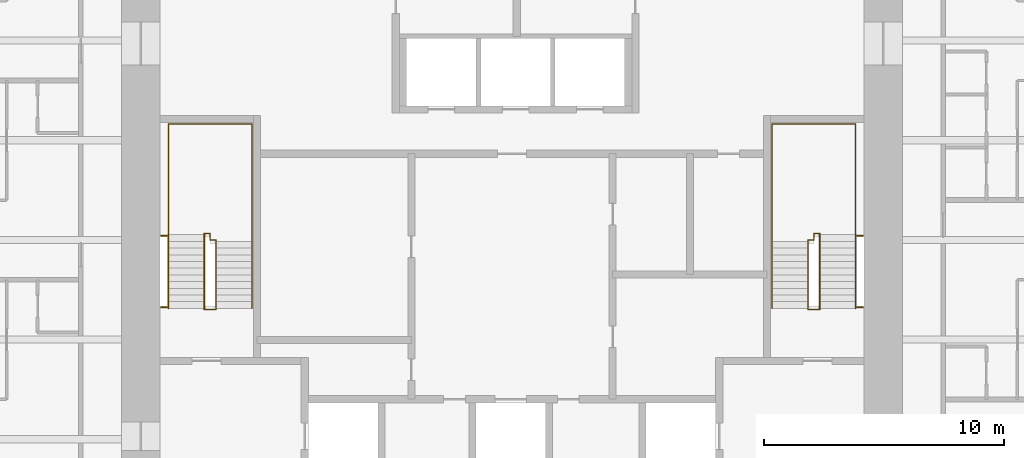
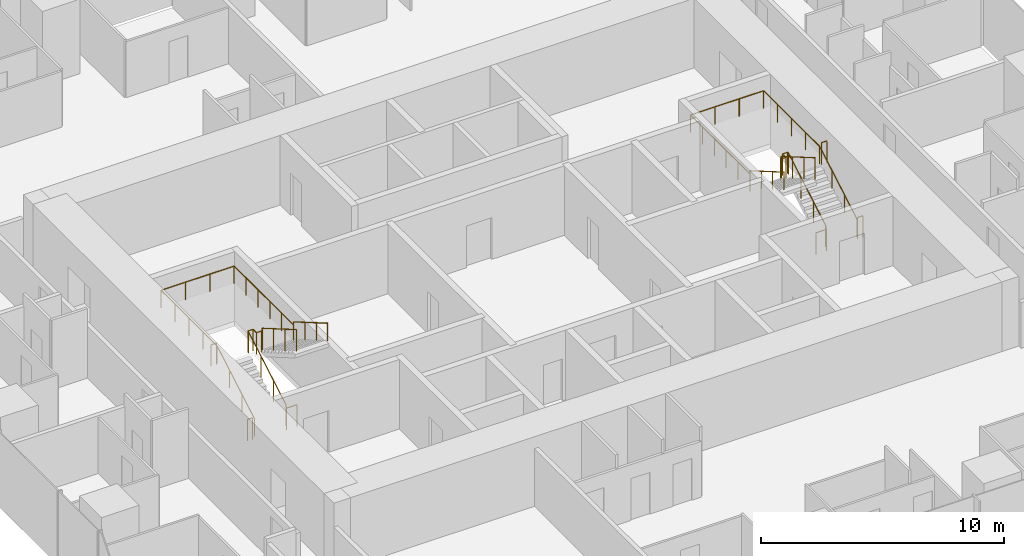
# One storey, part 13 of 13: 8 railings.
"""IFC4 building model written with IfcOpenShell, lengths in metres."""

from ifc_helpers import new_model, si_unit, direction, frame, origin, origin_2d, place, context, subcontext, project, spatial, circle, extrude, material, type_object, element, save


model = new_model("IFC4")

# Units and contexts
model_context = context("Model", 3, precision=1e-05, world=origin(), true_north=direction((0.0, 1.0)))
body_context = subcontext(model_context, "Body", "Model", "MODEL_VIEW")
ifc_project = project(units=[si_unit("LENGTHUNIT", "METRE"), si_unit("AREAUNIT", "SQUARE_METRE"), si_unit("VOLUMEUNIT", "CUBIC_METRE"), si_unit("PLANEANGLEUNIT", "RADIAN"), si_unit("MASSUNIT", "GRAM", prefix="KILO")], contexts=[model_context])

# Site, building, storey
site_placement = place(None, origin())
site = spatial("IfcSite", under=ifc_project, at=site_placement, CompositionType="ELEMENT")
building_placement = place(site_placement, origin())
building = spatial("IfcBuilding", under=site, at=building_placement, Name="Khuree Lantern Residences", CompositionType="ELEMENT")
storey_placement = place(building_placement, frame((0.0, 0.0, 259.5)))
storey = spatial("IfcBuildingStorey", under=building, at=storey_placement, Name="L65", CompositionType="ELEMENT", Elevation=259.5)

# Railings
ifc_material = material(Name="Steel S355", Category="steel")
railing_type_1 = type_object("IfcRailingType", Name="STAIR GUARD G1 1100", PredefinedType="GUARDRAIL", material=ifc_material)
railing_1_placement = place(storey_placement, frame((-12.35009765625, -2.909912109375, 0.0)))
element("IfcRailing", 1, at=railing_1_placement, inside=storey, type_object=railing_type_1, Name="Stair ST1 guard", PredefinedType="GUARDRAIL", context=body_context, shape_type="SweptSolid", body=[
    extrude(circle(Radius=0.02392578125, at=origin_2d()), frame((0.0, 0.0, 1.076171875), z_axis=(-1.0, 0.0, 0.0), x_axis=(0.0, -1.0, 0.0)), (0.0, 0.0, 1.0), 0.5),
    extrude(circle(Radius=0.02392578125, at=origin_2d()), frame((-0.5, 0.0, 1.076171875), z_axis=(0.0, 0.292073035251, 0.95639601739), x_axis=(-1.0, 0.0, 0.0)), (0.0, 0.0, 1.0), 0.17041015625),
    extrude(circle(Radius=0.02392578125, at=origin_2d()), frame((-0.5, 0.0498046875, 1.2392578125), z_axis=(0.0, 0.864176135923, 0.503189433615), x_axis=(-1.0, 0.0, 0.0)), (0.0, 0.0, 1.0), 3.564208984375),
    extrude(circle(Radius=0.02392578125, at=origin_2d()), frame((-0.5, 3.1298828125, 3.03271484375), z_axis=(0.0, 1.0, 0.0), x_axis=(-1.0, 0.0, 0.0)), (0.0, 0.0, 1.0), 0.050048828125),
    extrude(circle(Radius=0.02392578125, at=origin_2d()), frame((-0.5, 3.179931640625, 3.03271484375), z_axis=(1.0, 0.0, 0.0), x_axis=(0.0, 1.0, 0.0)), (0.0, 0.0, 1.0), 0.25),
    extrude(circle(Radius=0.02392578125, at=origin_2d()), frame((-0.25, 3.179931640625, 3.03271484375), z_axis=(0.0, -1.0, 0.0), x_axis=(1.0, 0.0, 0.0)), (0.0, 0.0, 1.0), 0.280029296875),
    extrude(circle(Radius=0.02392578125, at=origin_2d()), frame((-0.25, 2.89990234375, 3.03271484375), z_axis=(1.0, 0.0, 0.0), x_axis=(0.0, 1.0, 0.0)), (0.0, 0.0, 1.0), 0.25),
    extrude(circle(Radius=0.02392578125, at=origin_2d()), frame((0.0, 2.89990234375, 3.03271484375), z_axis=(0.0, -0.293381807449, 0.955995353053), x_axis=(1.0, 0.0, 0.0)), (0.0, 0.0, 1.0), 0.170654296875),
    extrude(circle(Radius=0.02392578125, at=origin_2d()), frame((0.0, 2.849853515625, 3.19580078125), z_axis=(0.0, -0.864180358799, 0.503182181189), x_axis=(1.0, 0.0, 0.0)), (0.0, 0.0, 1.0), 3.240234375),
    extrude(circle(Radius=0.02099609375, at=origin_2d()), origin(), (0.0, 0.0, 1.0), 1.052001953125),
    extrude(circle(Radius=0.02099609375, at=origin_2d()), frame((-0.5, 0.0, 0.0)), (0.0, 0.0, 1.0), 1.052001953125),
    extrude(circle(Radius=0.02099609375, at=origin_2d()), frame((-0.5, 0.0498046875, 0.1630859375)), (0.0, 0.0, 1.0), 1.052001953125),
    extrude(circle(Radius=0.02099609375, at=origin_2d()), frame((-0.5, 1.076416015625, 0.760986328125)), (0.0, 0.0, 1.0), 1.052001953125),
    extrude(circle(Radius=0.02099609375, at=origin_2d()), frame((-0.5, 2.103271484375, 1.358642578125)), (0.0, 0.0, 1.0), 1.052001953125),
    extrude(circle(Radius=0.02099609375, at=origin_2d()), frame((-0.5, 3.1298828125, 1.95654296875)), (0.0, 0.0, 1.0), 1.052001953125),
    extrude(circle(Radius=0.02099609375, at=origin_2d()), frame((-0.5, 3.179931640625, 1.95654296875)), (0.0, 0.0, 1.0), 1.052001953125),
    extrude(circle(Radius=0.02099609375, at=origin_2d()), frame((-0.25, 3.179931640625, 1.95654296875)), (0.0, 0.0, 1.0), 1.052001953125),
    extrude(circle(Radius=0.02099609375, at=origin_2d()), frame((-0.25, 2.89990234375, 1.95654296875)), (0.0, 0.0, 1.0), 1.052001953125),
    extrude(circle(Radius=0.02099609375, at=origin_2d()), frame((0.0, 2.89990234375, 1.95654296875)), (0.0, 0.0, 1.0), 1.052001953125),
    extrude(circle(Radius=0.02099609375, at=origin_2d()), frame((0.0, 2.849853515625, 2.11962890625)), (0.0, 0.0, 1.0), 1.052001953125),
    extrude(circle(Radius=0.02099609375, at=origin_2d()), frame((0.0, 1.91650390625, 2.6630859375)), (0.0, 0.0, 1.0), 1.052001953125),
    extrude(circle(Radius=0.02099609375, at=origin_2d()), frame((0.0, 0.983154296875, 3.20654296875)), (0.0, 0.0, 1.0), 1.052001953125),
    extrude(circle(Radius=0.02099609375, at=origin_2d()), frame((0.0, 0.0498046875, 3.75)), (0.0, 0.0, 1.0), 1.052001953125),
])
for number, where, name in (
    (2, (-14.64990234375, -2.81005859375, 0.0), "Stair ST1 landing slot guard"),
    (3, (-14.64990234375, 0.169921875, 1.95654296875), "Stair ST1 landing slot guard"),
):
    element("IfcRailing", number, at=place(storey_placement, frame(where)), inside=storey, type_object=railing_type_1, Name=name, PredefinedType="GUARDRAIL", context=body_context, shape_type="SweptSolid", body=[
        extrude(circle(Radius=0.02392578125, at=origin_2d()), frame((0.0, 0.0, 1.076171875), z_axis=(1.0, 0.0, 0.0), x_axis=(0.0, 1.0, 0.0)), (0.0, 0.0, 1.0), 0.25),
        extrude(circle(Radius=0.02099609375, at=origin_2d()), origin(), (0.0, 0.0, 1.0), 1.052001953125),
        extrude(circle(Radius=0.02099609375, at=origin_2d()), frame((0.25, 0.0, 0.0)), (0.0, 0.0, 1.0), 1.052001953125),
    ])
railing_2_placement = place(storey_placement, frame((12.35009765625, -2.909912109375, 0.0)))
element("IfcRailing", 4, at=railing_2_placement, inside=storey, type_object=railing_type_1, Name="Stair ST2 guard", PredefinedType="GUARDRAIL", context=body_context, shape_type="SweptSolid", body=[
    extrude(circle(Radius=0.02392578125, at=origin_2d()), frame((0.0, 0.0, 1.076171875), z_axis=(1.0, 0.0, 0.0), x_axis=(0.0, 1.0, 0.0)), (0.0, 0.0, 1.0), 0.5),
    extrude(circle(Radius=0.02392578125, at=origin_2d()), frame((0.5, 0.0, 1.076171875), z_axis=(0.0, 0.292073035251, 0.95639601739), x_axis=(-1.0, 0.0, 0.0)), (0.0, 0.0, 1.0), 0.17041015625),
    extrude(circle(Radius=0.02392578125, at=origin_2d()), frame((0.5, 0.0498046875, 1.2392578125), z_axis=(0.0, 0.864176135923, 0.503189433615), x_axis=(-1.0, 0.0, 0.0)), (0.0, 0.0, 1.0), 3.564208984375),
    extrude(circle(Radius=0.02392578125, at=origin_2d()), frame((0.5, 3.1298828125, 3.03271484375), z_axis=(0.0, 1.0, 0.0), x_axis=(-1.0, 0.0, 0.0)), (0.0, 0.0, 1.0), 0.050048828125),
    extrude(circle(Radius=0.02392578125, at=origin_2d()), frame((0.5, 3.179931640625, 3.03271484375), z_axis=(-1.0, 0.0, 0.0), x_axis=(0.0, -1.0, 0.0)), (0.0, 0.0, 1.0), 0.25),
    extrude(circle(Radius=0.02392578125, at=origin_2d()), frame((0.25, 3.179931640625, 3.03271484375), z_axis=(0.0, -1.0, 0.0), x_axis=(1.0, 0.0, 0.0)), (0.0, 0.0, 1.0), 0.280029296875),
    extrude(circle(Radius=0.02392578125, at=origin_2d()), frame((0.25, 2.89990234375, 3.03271484375), z_axis=(-1.0, 0.0, 0.0), x_axis=(0.0, -1.0, 0.0)), (0.0, 0.0, 1.0), 0.25),
    extrude(circle(Radius=0.02392578125, at=origin_2d()), frame((0.0, 2.89990234375, 3.03271484375), z_axis=(0.0, -0.293381807449, 0.955995353053), x_axis=(1.0, 0.0, 0.0)), (0.0, 0.0, 1.0), 0.170654296875),
    extrude(circle(Radius=0.02392578125, at=origin_2d()), frame((0.0, 2.849853515625, 3.19580078125), z_axis=(0.0, -0.864180358799, 0.503182181189), x_axis=(1.0, 0.0, 0.0)), (0.0, 0.0, 1.0), 3.240234375),
    extrude(circle(Radius=0.02099609375, at=origin_2d()), origin(), (0.0, 0.0, 1.0), 1.052001953125),
    extrude(circle(Radius=0.02099609375, at=origin_2d()), frame((0.5, 0.0, 0.0)), (0.0, 0.0, 1.0), 1.052001953125),
    extrude(circle(Radius=0.02099609375, at=origin_2d()), frame((0.5, 0.0498046875, 0.1630859375)), (0.0, 0.0, 1.0), 1.052001953125),
    extrude(circle(Radius=0.02099609375, at=origin_2d()), frame((0.5, 1.076416015625, 0.760986328125)), (0.0, 0.0, 1.0), 1.052001953125),
    extrude(circle(Radius=0.02099609375, at=origin_2d()), frame((0.5, 2.103271484375, 1.358642578125)), (0.0, 0.0, 1.0), 1.052001953125),
    extrude(circle(Radius=0.02099609375, at=origin_2d()), frame((0.5, 3.1298828125, 1.95654296875)), (0.0, 0.0, 1.0), 1.052001953125),
    extrude(circle(Radius=0.02099609375, at=origin_2d()), frame((0.5, 3.179931640625, 1.95654296875)), (0.0, 0.0, 1.0), 1.052001953125),
    extrude(circle(Radius=0.02099609375, at=origin_2d()), frame((0.25, 3.179931640625, 1.95654296875)), (0.0, 0.0, 1.0), 1.052001953125),
    extrude(circle(Radius=0.02099609375, at=origin_2d()), frame((0.25, 2.89990234375, 1.95654296875)), (0.0, 0.0, 1.0), 1.052001953125),
    extrude(circle(Radius=0.02099609375, at=origin_2d()), frame((0.0, 2.89990234375, 1.95654296875)), (0.0, 0.0, 1.0), 1.052001953125),
    extrude(circle(Radius=0.02099609375, at=origin_2d()), frame((0.0, 2.849853515625, 2.11962890625)), (0.0, 0.0, 1.0), 1.052001953125),
    extrude(circle(Radius=0.02099609375, at=origin_2d()), frame((0.0, 1.91650390625, 2.6630859375)), (0.0, 0.0, 1.0), 1.052001953125),
    extrude(circle(Radius=0.02099609375, at=origin_2d()), frame((0.0, 0.983154296875, 3.20654296875)), (0.0, 0.0, 1.0), 1.052001953125),
    extrude(circle(Radius=0.02099609375, at=origin_2d()), frame((0.0, 0.0498046875, 3.75)), (0.0, 0.0, 1.0), 1.052001953125),
])
for number, where, name in (
    (5, (14.64990234375, -2.81005859375, 0.0), "Stair ST2 landing slot guard"),
    (6, (14.64990234375, 0.169921875, 1.95654296875), "Stair ST2 landing slot guard"),
):
    element("IfcRailing", number, at=place(storey_placement, frame(where)), inside=storey, type_object=railing_type_1, Name=name, PredefinedType="GUARDRAIL", context=body_context, shape_type="SweptSolid", body=[
        extrude(circle(Radius=0.02392578125, at=origin_2d()), frame((0.0, 0.0, 1.076171875), z_axis=(-1.0, 0.0, 0.0), x_axis=(0.0, -1.0, 0.0)), (0.0, 0.0, 1.0), 0.25),
        extrude(circle(Radius=0.02099609375, at=origin_2d()), origin(), (0.0, 0.0, 1.0), 1.052001953125),
        extrude(circle(Radius=0.02099609375, at=origin_2d()), frame((-0.25, 0.0, 0.0)), (0.0, 0.0, 1.0), 1.052001953125),
    ])
railing_type_2 = type_object("IfcRailingType", Name="STAIR HANDRAIL H1 900", PredefinedType="HANDRAIL", material=ifc_material)
railing_3_placement = place(storey_placement, frame((-14.340087890625, -2.860107421875, 0.1630859375)))
element("IfcRailing", 7, at=railing_3_placement, inside=storey, type_object=railing_type_2, Name="Stair ST1 handrail", PredefinedType="HANDRAIL", context=body_context, shape_type="SweptSolid", body=[
    extrude(circle(Radius=0.02392578125, at=origin_2d()), frame((0.0, 0.0, 0.8759765625), z_axis=(0.0, 0.864176135923, 0.503189433615), x_axis=(-1.0, 0.0, 0.0)), (0.0, 0.0, 1.0), 3.564208984375),
    extrude(circle(Radius=0.02392578125, at=origin_2d()), frame((0.0, 3.080078125, 2.66943359375), z_axis=(0.0, 1.0, 0.0), x_axis=(-1.0, 0.0, 0.0)), (0.0, 0.0, 1.0), 4.6201171875),
    extrude(circle(Radius=0.02392578125, at=origin_2d()), frame((0.0, 7.7001953125, 2.66943359375), z_axis=(1.0, 0.0, 0.0), x_axis=(0.0, 1.0, 0.0)), (0.0, 0.0, 1.0), 3.47998046875),
    extrude(circle(Radius=0.02392578125, at=origin_2d()), frame((3.47998046875, 7.7001953125, 2.66943359375), z_axis=(0.0, -1.0, 0.0), x_axis=(1.0, 0.0, 0.0)), (0.0, 0.0, 1.0), 4.900146484375),
    extrude(circle(Radius=0.02392578125, at=origin_2d()), frame((3.47998046875, 2.800048828125, 2.66943359375), z_axis=(0.0, 0.0, 1.0), x_axis=(1.0, 0.0, 0.0)), (0.0, 0.0, 1.0), 0.1630859375),
    extrude(circle(Radius=0.02392578125, at=origin_2d()), frame((3.47998046875, 2.800048828125, 2.83251953125), z_axis=(0.0, -0.864180358799, 0.503182181189), x_axis=(1.0, 0.0, 0.0)), (0.0, 0.0, 1.0), 3.240234375),
    extrude(circle(Radius=0.02099609375, at=origin_2d()), origin(), (0.0, 0.0, 1.0), 0.851806640625),
    extrude(circle(Radius=0.02099609375, at=origin_2d()), frame((0.0, 1.026611328125, 0.597900390625)), (0.0, 0.0, 1.0), 0.851806640625),
    extrude(circle(Radius=0.02099609375, at=origin_2d()), frame((0.0, 2.053466796875, 1.195556640625)), (0.0, 0.0, 1.0), 0.851806640625),
    extrude(circle(Radius=0.02099609375, at=origin_2d()), frame((0.0, 3.080078125, 1.79345703125)), (0.0, 0.0, 1.0), 0.851806640625),
    extrude(circle(Radius=0.02099609375, at=origin_2d()), frame((0.0, 4.235107421875, 1.79345703125)), (0.0, 0.0, 1.0), 0.851806640625),
    extrude(circle(Radius=0.02099609375, at=origin_2d()), frame((0.0, 5.39013671875, 1.79345703125)), (0.0, 0.0, 1.0), 0.851806640625),
    extrude(circle(Radius=0.02099609375, at=origin_2d()), frame((0.0, 6.545166015625, 1.79345703125)), (0.0, 0.0, 1.0), 0.851806640625),
    extrude(circle(Radius=0.02099609375, at=origin_2d()), frame((0.0, 7.7001953125, 1.79345703125)), (0.0, 0.0, 1.0), 0.851806640625),
    extrude(circle(Radius=0.02099609375, at=origin_2d()), frame((1.159912109375, 7.7001953125, 1.79345703125)), (0.0, 0.0, 1.0), 0.851806640625),
    extrude(circle(Radius=0.02099609375, at=origin_2d()), frame((2.320068359375, 7.7001953125, 1.79345703125)), (0.0, 0.0, 1.0), 0.851806640625),
    extrude(circle(Radius=0.02099609375, at=origin_2d()), frame((3.47998046875, 7.7001953125, 1.79345703125)), (0.0, 0.0, 1.0), 0.851806640625),
    extrude(circle(Radius=0.02099609375, at=origin_2d()), frame((3.47998046875, 6.72021484375, 1.79345703125)), (0.0, 0.0, 1.0), 0.851806640625),
    extrude(circle(Radius=0.02099609375, at=origin_2d()), frame((3.47998046875, 5.740234375, 1.79345703125)), (0.0, 0.0, 1.0), 0.851806640625),
    extrude(circle(Radius=0.02099609375, at=origin_2d()), frame((3.47998046875, 4.760009765625, 1.79345703125)), (0.0, 0.0, 1.0), 0.851806640625),
    extrude(circle(Radius=0.02099609375, at=origin_2d()), frame((3.47998046875, 3.780029296875, 1.79345703125)), (0.0, 0.0, 1.0), 0.851806640625),
    extrude(circle(Radius=0.02099609375, at=origin_2d()), frame((3.47998046875, 2.800048828125, 1.79345703125)), (0.0, 0.0, 1.0), 0.851806640625),
    extrude(circle(Radius=0.02099609375, at=origin_2d()), frame((3.47998046875, 2.800048828125, 1.95654296875)), (0.0, 0.0, 1.0), 0.851806640625),
    extrude(circle(Radius=0.02099609375, at=origin_2d()), frame((3.47998046875, 1.86669921875, 2.5)), (0.0, 0.0, 1.0), 0.851806640625),
    extrude(circle(Radius=0.02099609375, at=origin_2d()), frame((3.47998046875, 0.933349609375, 3.04345703125)), (0.0, 0.0, 1.0), 0.851806640625),
    extrude(circle(Radius=0.02099609375, at=origin_2d()), frame((3.47998046875, 0.0, 3.5869140625)), (0.0, 0.0, 1.0), 0.851806640625),
])
railing_4_placement = place(storey_placement, frame((14.340087890625, -2.860107421875, 0.1630859375)))
element("IfcRailing", 8, at=railing_4_placement, inside=storey, type_object=railing_type_2, Name="Stair ST2 handrail", PredefinedType="HANDRAIL", context=body_context, shape_type="SweptSolid", body=[
    extrude(circle(Radius=0.02392578125, at=origin_2d()), frame((0.0, 0.0, 0.8759765625), z_axis=(0.0, 0.864176135923, 0.503189433615), x_axis=(-1.0, 0.0, 0.0)), (0.0, 0.0, 1.0), 3.564208984375),
    extrude(circle(Radius=0.02392578125, at=origin_2d()), frame((0.0, 3.080078125, 2.66943359375), z_axis=(0.0, 1.0, 0.0), x_axis=(-1.0, 0.0, 0.0)), (0.0, 0.0, 1.0), 4.6201171875),
    extrude(circle(Radius=0.02392578125, at=origin_2d()), frame((0.0, 7.7001953125, 2.66943359375), z_axis=(-1.0, 0.0, 0.0), x_axis=(0.0, -1.0, 0.0)), (0.0, 0.0, 1.0), 3.47998046875),
    extrude(circle(Radius=0.02392578125, at=origin_2d()), frame((-3.47998046875, 7.7001953125, 2.66943359375), z_axis=(0.0, -1.0, 0.0), x_axis=(1.0, 0.0, 0.0)), (0.0, 0.0, 1.0), 4.900146484375),
    extrude(circle(Radius=0.02392578125, at=origin_2d()), frame((-3.47998046875, 2.800048828125, 2.66943359375), z_axis=(0.0, 0.0, 1.0), x_axis=(1.0, 0.0, 0.0)), (0.0, 0.0, 1.0), 0.1630859375),
    extrude(circle(Radius=0.02392578125, at=origin_2d()), frame((-3.47998046875, 2.800048828125, 2.83251953125), z_axis=(0.0, -0.864180358799, 0.503182181189), x_axis=(1.0, 0.0, 0.0)), (0.0, 0.0, 1.0), 3.240234375),
    extrude(circle(Radius=0.02099609375, at=origin_2d()), origin(), (0.0, 0.0, 1.0), 0.851806640625),
    extrude(circle(Radius=0.02099609375, at=origin_2d()), frame((0.0, 1.026611328125, 0.597900390625)), (0.0, 0.0, 1.0), 0.851806640625),
    extrude(circle(Radius=0.02099609375, at=origin_2d()), frame((0.0, 2.053466796875, 1.195556640625)), (0.0, 0.0, 1.0), 0.851806640625),
    extrude(circle(Radius=0.02099609375, at=origin_2d()), frame((0.0, 3.080078125, 1.79345703125)), (0.0, 0.0, 1.0), 0.851806640625),
    extrude(circle(Radius=0.02099609375, at=origin_2d()), frame((0.0, 4.235107421875, 1.79345703125)), (0.0, 0.0, 1.0), 0.851806640625),
    extrude(circle(Radius=0.02099609375, at=origin_2d()), frame((0.0, 5.39013671875, 1.79345703125)), (0.0, 0.0, 1.0), 0.851806640625),
    extrude(circle(Radius=0.02099609375, at=origin_2d()), frame((0.0, 6.545166015625, 1.79345703125)), (0.0, 0.0, 1.0), 0.851806640625),
    extrude(circle(Radius=0.02099609375, at=origin_2d()), frame((0.0, 7.7001953125, 1.79345703125)), (0.0, 0.0, 1.0), 0.851806640625),
    extrude(circle(Radius=0.02099609375, at=origin_2d()), frame((-1.159912109375, 7.7001953125, 1.79345703125)), (0.0, 0.0, 1.0), 0.851806640625),
    extrude(circle(Radius=0.02099609375, at=origin_2d()), frame((-2.320068359375, 7.7001953125, 1.79345703125)), (0.0, 0.0, 1.0), 0.851806640625),
    extrude(circle(Radius=0.02099609375, at=origin_2d()), frame((-3.47998046875, 7.7001953125, 1.79345703125)), (0.0, 0.0, 1.0), 0.851806640625),
    extrude(circle(Radius=0.02099609375, at=origin_2d()), frame((-3.47998046875, 6.72021484375, 1.79345703125)), (0.0, 0.0, 1.0), 0.851806640625),
    extrude(circle(Radius=0.02099609375, at=origin_2d()), frame((-3.47998046875, 5.740234375, 1.79345703125)), (0.0, 0.0, 1.0), 0.851806640625),
    extrude(circle(Radius=0.02099609375, at=origin_2d()), frame((-3.47998046875, 4.760009765625, 1.79345703125)), (0.0, 0.0, 1.0), 0.851806640625),
    extrude(circle(Radius=0.02099609375, at=origin_2d()), frame((-3.47998046875, 3.780029296875, 1.79345703125)), (0.0, 0.0, 1.0), 0.851806640625),
    extrude(circle(Radius=0.02099609375, at=origin_2d()), frame((-3.47998046875, 2.800048828125, 1.79345703125)), (0.0, 0.0, 1.0), 0.851806640625),
    extrude(circle(Radius=0.02099609375, at=origin_2d()), frame((-3.47998046875, 2.800048828125, 1.95654296875)), (0.0, 0.0, 1.0), 0.851806640625),
    extrude(circle(Radius=0.02099609375, at=origin_2d()), frame((-3.47998046875, 1.86669921875, 2.5)), (0.0, 0.0, 1.0), 0.851806640625),
    extrude(circle(Radius=0.02099609375, at=origin_2d()), frame((-3.47998046875, 0.933349609375, 3.04345703125)), (0.0, 0.0, 1.0), 0.851806640625),
    extrude(circle(Radius=0.02099609375, at=origin_2d()), frame((-3.47998046875, 0.0, 3.5869140625)), (0.0, 0.0, 1.0), 0.851806640625),
])

save(model, "model.ifc")
